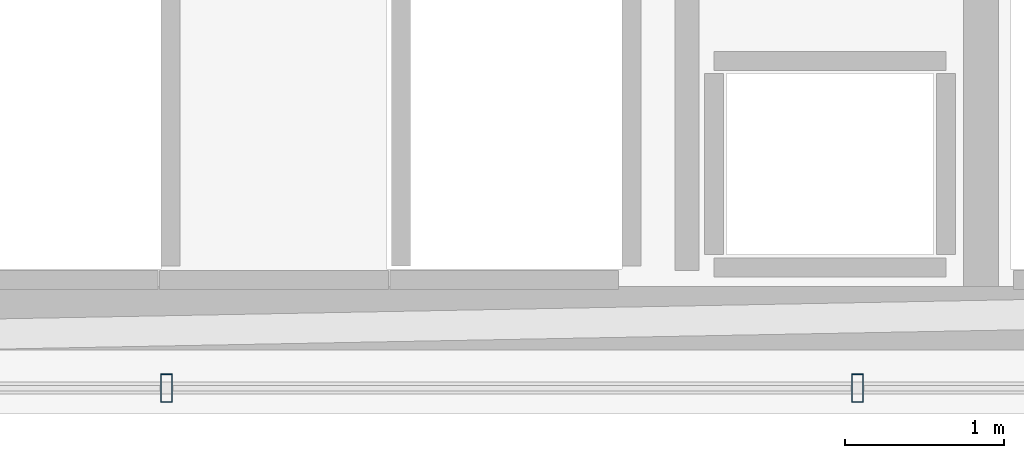
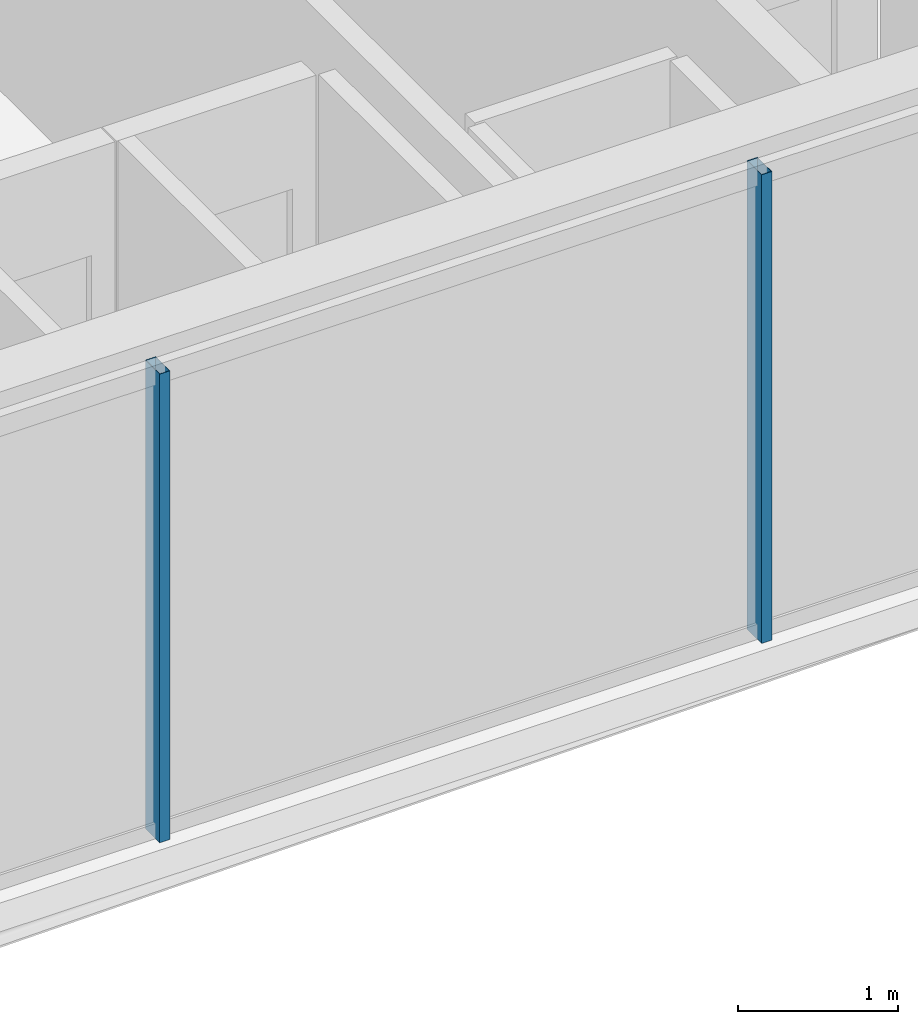
# One storey, part 8 of 29: 2 members, 1 element without a shape of its own.
"""IFC4 building model written with IfcOpenShell, lengths in metres."""

from ifc_helpers import new_model, si_unit, direction, frame, origin, origin_2d, place, context, subcontext, project, spatial, hollow_rectangle, extrude, material, layer, layer_set, material_profile, profile_set, type_object, element, aggregate, save


model = new_model("IFC4")

# Units and contexts
model_context = context("Model", 3, precision=1e-05, world=origin(), true_north=direction((0.0, 1.0)))
body_context = subcontext(model_context, "Body", "Model", "MODEL_VIEW")
ifc_project = project(units=[si_unit("LENGTHUNIT", "METRE"), si_unit("AREAUNIT", "SQUARE_METRE"), si_unit("VOLUMEUNIT", "CUBIC_METRE"), si_unit("PLANEANGLEUNIT", "RADIAN"), si_unit("MASSUNIT", "GRAM", prefix="KILO")], contexts=[model_context])

# Site, building, storey
site_placement = place(None, origin())
site = spatial("IfcSite", under=ifc_project, at=site_placement, CompositionType="ELEMENT")
building_placement = place(site_placement, origin())
building = spatial("IfcBuilding", under=site, at=building_placement, Name="Ndaravel Arena Tower", CompositionType="ELEMENT")
storey_placement = place(building_placement, frame((0.0, 0.0, 237.0)))
storey = spatial("IfcBuildingStorey", under=building, at=storey_placement, Name="L57", CompositionType="ELEMENT", Elevation=237.0)

# Curtain wall, members
ifc_material_1 = material(Name="Aluminium", Category="aluminium")
ifc_layer = layer(ifc_material_1, 0.179931640625)
ifc_layer_set = layer_set([ifc_layer], Name="Aluminium")
curtain_wall_type = type_object("IfcCurtainWallType", Name="CW-SYS-03", PredefinedType="NOTDEFINED", material=ifc_layer_set)
curtain_wall_placement = place(storey_placement, origin())
curtain_wall = element("IfcCurtainWall", 1, at=curtain_wall_placement, inside=storey, type_object=curtain_wall_type, Name="L57 Faceted Crystal Curtain Wall CW-L57-E01", PredefinedType="NOTDEFINED")
ifc_material_2 = material(Name="Aluminium", Category="aluminium")
ifc_material_profile = material_profile(ifc_material_2, hollow_rectangle(XDim=0.074951171875, YDim=0.179931640625, WallThickness=0.00390625, at=origin_2d()), Name="CW MULLION 75x180x4")
ifc_profile_set = profile_set([ifc_material_profile], Name="Aluminium")
member_type = type_object("IfcMemberType", Name="MEM-CW-MUL180", PredefinedType="MULLION", material=ifc_profile_set)
member_1_placement = place(storey_placement, frame((44.17431640625, 5.159912109375, 0.0), z_axis=(0.0, 0.0, 1.0), x_axis=(1.0, 0.0, 0.0)))
member_1 = element("IfcMember", 2, at=member_1_placement, type_object=member_type, Name="CW-L57-E01 Mullion 05", PredefinedType="MULLION", context=body_context, shape_type="SweptSolid", body=[
    extrude(hollow_rectangle(XDim=0.074951171875, YDim=0.179931640625, WallThickness=0.00390625, at=origin_2d()), origin(), (0.0, 0.0, 1.0), 3.580078125),
])
member_2_placement = place(storey_placement, frame((48.52294921875, 5.159912109375, 0.0), z_axis=(0.0, 0.0, 1.0), x_axis=(1.0, 0.0, 0.0)))
member_2 = element("IfcMember", 3, at=member_2_placement, type_object=member_type, Name="CW-L57-E01 Mullion 06", PredefinedType="MULLION", context=body_context, shape_type="SweptSolid", body=[
    extrude(hollow_rectangle(XDim=0.074951171875, YDim=0.179931640625, WallThickness=0.00390625, at=origin_2d()), origin(), (0.0, 0.0, 1.0), 3.580078125),
])
aggregate(curtain_wall, [member_1, member_2])

save(model, "model.ifc")
